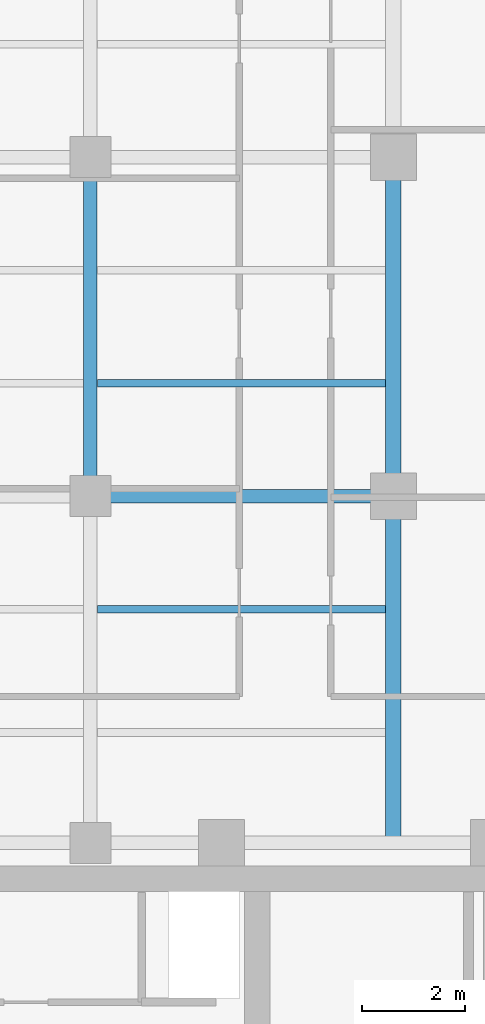
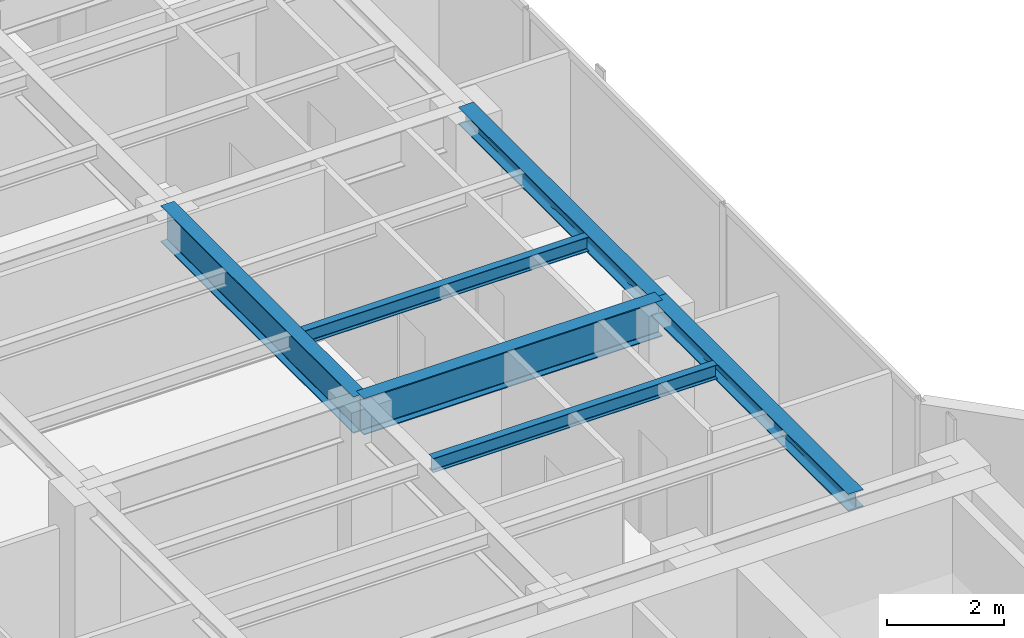
# One storey, part 9 of 22: 6 beams.
"""IFC4 building model written with IfcOpenShell, lengths in metres."""

from ifc_helpers import new_model, si_unit, direction, frame, origin, origin_2d, place, context, subcontext, project, spatial, i_section, extrude, material, material_profile, profile_set, type_object, element, save


model = new_model("IFC4")

# Units and contexts
model_context = context("Model", 3, precision=1e-05, world=origin(), true_north=direction((0.0, 1.0)))
body_context = subcontext(model_context, "Body", "Model", "MODEL_VIEW")
ifc_project = project(units=[si_unit("LENGTHUNIT", "METRE"), si_unit("AREAUNIT", "SQUARE_METRE"), si_unit("VOLUMEUNIT", "CUBIC_METRE"), si_unit("PLANEANGLEUNIT", "RADIAN"), si_unit("MASSUNIT", "GRAM", prefix="KILO")], contexts=[model_context])

# Site, building, storey
site_placement = place(None, origin())
site = spatial("IfcSite", under=ifc_project, at=site_placement, CompositionType="ELEMENT")
building_placement = place(site_placement, origin())
building = spatial("IfcBuilding", under=site, at=building_placement, Name="Kolvaren Waterfront Exchange", CompositionType="ELEMENT")
storey_placement = place(building_placement, frame((0.0, 0.0, 266.60009765625)))
storey = spatial("IfcBuildingStorey", under=building, at=storey_placement, Name="L68", CompositionType="ELEMENT", Elevation=266.60009765625)

# Beams
ifc_material = material(Name="Steel S355", Category="steel")
ifc_material_profile_1 = material_profile(ifc_material, i_section(OverallWidth=0.300048828125, OverallDepth=0.360107421875, WebThickness=0.012451171875, FlangeThickness=0.0224609375, FilletRadius=0.027099609375, at=origin_2d()), Name="HEB360")
ifc_profile_set_1 = profile_set([ifc_material_profile_1], Name="Steel S355")
beam_type_1 = type_object("IfcBeamType", Name="STR-BM-HEB360", PredefinedType="SPANDREL", material=ifc_profile_set_1)
beam_1_placement = place(storey_placement, frame((18.800048828125, 24.449951171875, 3.3798828125), z_axis=(0.0, 1.0, 0.0), x_axis=(-1.0, 0.0, 0.0)))
element("IfcBeam", 1, at=beam_1_placement, inside=storey, type_object=beam_type_1, Name="L68 north-arm edge beam 1", PredefinedType="SPANDREL", context=body_context, shape_type="SweptSolid", body=[
    extrude(i_section(OverallWidth=0.300048828125, OverallDepth=0.360107421875, WebThickness=0.012451171875, FlangeThickness=0.0224609375, FilletRadius=0.027099609375, at=origin_2d()), origin(), (0.0, 0.0, 1.0), 6.75),
])
beam_2_placement = place(storey_placement, frame((18.800048828125, 31.199951171875, 3.3798828125), z_axis=(0.0, 1.0, 0.0), x_axis=(-1.0, 0.0, 0.0)))
element("IfcBeam", 2, at=beam_2_placement, inside=storey, type_object=beam_type_1, Name="L68 north-arm edge beam 2", PredefinedType="SPANDREL", context=body_context, shape_type="SweptSolid", body=[
    extrude(i_section(OverallWidth=0.300048828125, OverallDepth=0.360107421875, WebThickness=0.012451171875, FlangeThickness=0.0224609375, FilletRadius=0.027099609375, at=origin_2d()), origin(), (0.0, 0.0, 1.0), 6.60009765625),
])
ifc_material_profile_2 = material_profile(ifc_material, i_section(OverallWidth=0.14990234375, OverallDepth=0.300048828125, WebThickness=0.007080078125, FlangeThickness=0.0107421875, FilletRadius=0.014892578125, at=origin_2d()), Name="IPE300")
ifc_profile_set_2 = profile_set([ifc_material_profile_2], Name="Steel S355")
beam_type_2 = type_object("IfcBeamType", Name="STR-BM-IPE300", PredefinedType="JOIST", material=ifc_profile_set_2)
for number, where, z_axis, x_axis, name in (
    (3, (13.035400390625, 29.0, 3.409912109375), (1.0, 0.0, 0.0), (0.0, 1.0, 0.0), "L68 north-arm composite joist 2B"),
    (4, (13.035400390625, 33.39990234375, 3.409912109375), (1.0, 0.0, 0.0), (0.0, 1.0, 0.0), "L68 north-arm composite joist 3B"),
):
    element("IfcBeam", number, at=place(storey_placement, frame(where, z_axis=z_axis, x_axis=x_axis)), inside=storey, type_object=beam_type_2, Name=name, PredefinedType="JOIST", context=body_context, shape_type="SweptSolid", body=[
        extrude(i_section(OverallWidth=0.14990234375, OverallDepth=0.300048828125, WebThickness=0.007080078125, FlangeThickness=0.0107421875, FilletRadius=0.014892578125, at=origin_2d()), origin(), (0.0, 0.0, 1.0), 5.612548828125),
    ])
ifc_material_profile_3 = material_profile(ifc_material, i_section(OverallWidth=0.26708984375, OverallDepth=0.761962890625, WebThickness=0.014404296875, FlangeThickness=0.021484375, FilletRadius=0.01708984375, at=origin_2d()), Name="IPE750x173")
ifc_profile_set_3 = profile_set([ifc_material_profile_3], Name="Steel S355")
beam_type_3 = type_object("IfcBeamType", Name="STR-BM-IPE750", PredefinedType="BEAM", material=ifc_profile_set_3)
beam_3_placement = place(storey_placement, frame((12.89990234375, 31.199951171875, 3.178955078125), z_axis=(1.0, 0.0, 0.0), x_axis=(0.0, 1.0, 0.0)))
element("IfcBeam", 5, at=beam_3_placement, inside=storey, type_object=beam_type_3, Name="L68 north-arm girder 2B", PredefinedType="BEAM", context=body_context, shape_type="SweptSolid", body=[
    extrude(i_section(OverallWidth=0.26708984375, OverallDepth=0.761962890625, WebThickness=0.014404296875, FlangeThickness=0.021484375, FilletRadius=0.01708984375, at=origin_2d()), origin(), (0.0, 0.0, 1.0), 5.900146484375),
])
beam_4_placement = place(storey_placement, frame((12.89990234375, 31.199951171875, 3.178955078125), z_axis=(0.0, 1.0, 0.0), x_axis=(-1.0, 0.0, 0.0)))
element("IfcBeam", 6, at=beam_4_placement, inside=storey, type_object=beam_type_3, Name="L68 north-arm edge beam 2", PredefinedType="BEAM", context=body_context, shape_type="SweptSolid", body=[
    extrude(i_section(OverallWidth=0.26708984375, OverallDepth=0.761962890625, WebThickness=0.014404296875, FlangeThickness=0.021484375, FilletRadius=0.01708984375, at=origin_2d()), origin(), (0.0, 0.0, 1.0), 6.60009765625),
])

save(model, "model.ifc")
